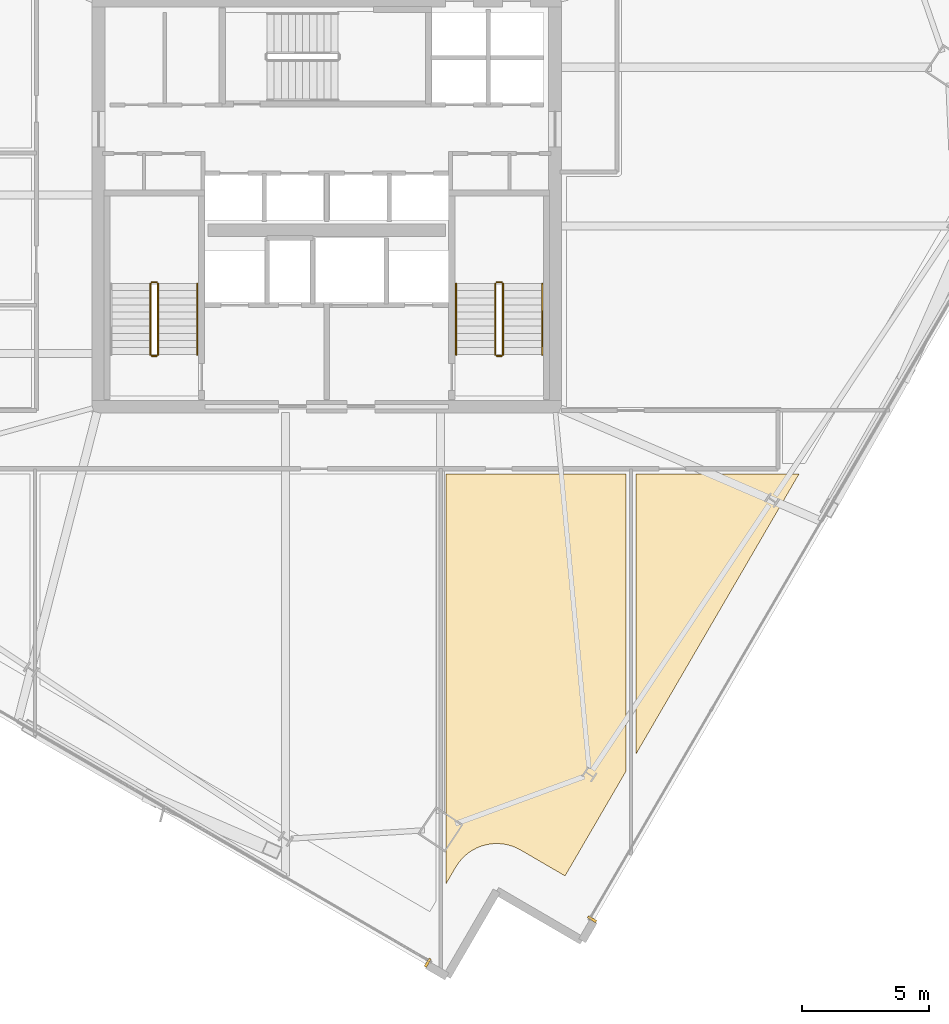
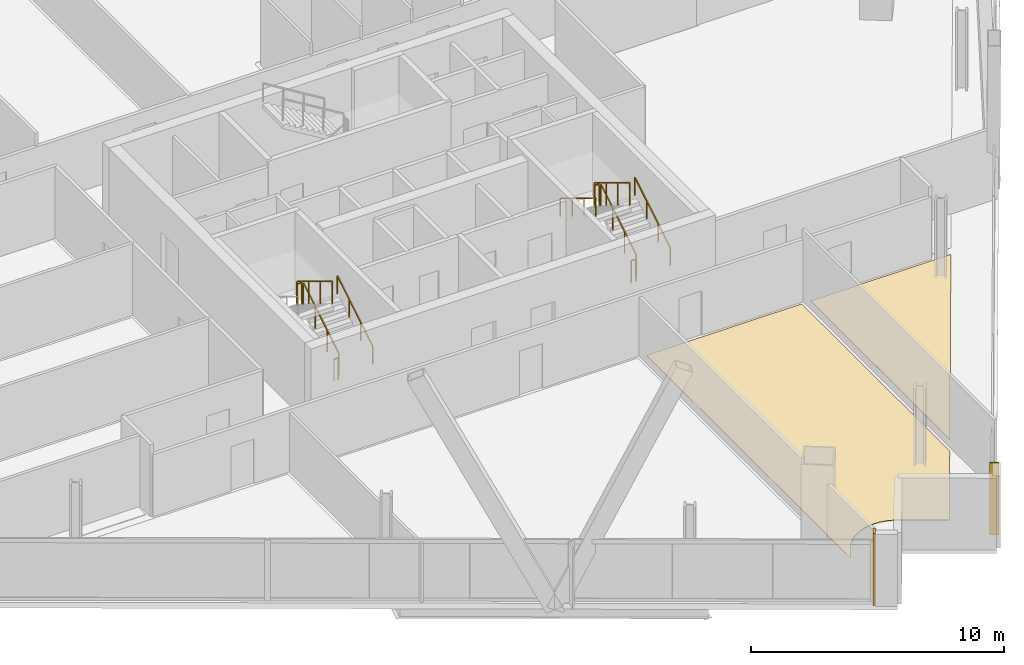
# One storey, part 26 of 29: 11 railings, 4 coverings.
"""IFC4 building model written with IfcOpenShell, lengths in metres."""

from ifc_helpers import new_model, si_unit, direction, frame, origin, origin_2d, place, context, subcontext, project, spatial, polyline, rectangle, outline, extrude, source, transform, mapped, material, layer, layer_set, type_object, element, save


model = new_model("IFC4")

# Units and contexts
model_context = context("Model", 3, precision=1e-05, world=origin(), true_north=direction((0.0, 1.0)))
body_context = subcontext(model_context, "Body", "Model", "MODEL_VIEW")
ifc_project = project(units=[si_unit("LENGTHUNIT", "METRE"), si_unit("AREAUNIT", "SQUARE_METRE"), si_unit("VOLUMEUNIT", "CUBIC_METRE"), si_unit("PLANEANGLEUNIT", "RADIAN"), si_unit("MASSUNIT", "GRAM", prefix="KILO")], contexts=[model_context])

# Site, building, storey
site_placement = place(None, origin())
site = spatial("IfcSite", under=ifc_project, at=site_placement, CompositionType="ELEMENT")
building_placement = place(site_placement, origin())
building = spatial("IfcBuilding", under=site, at=building_placement, Name="Haldenkirk Collegiate Tower", CompositionType="ELEMENT")
storey_placement = place(building_placement, frame((0.0, 0.0, 228.449951171875)))
storey = spatial("IfcBuildingStorey", under=building, at=storey_placement, Name="L57", CompositionType="ELEMENT", Elevation=228.449951171875)

# Coverings
ifc_material_1 = material(Name="Polished collegiate terrazzo", Category="concrete")
ifc_layer_1 = layer(ifc_material_1, 0.02490234375)
ifc_layer_set_1 = layer_set([ifc_layer_1], Name="Polished collegiate terrazzo")
covering_type_1 = type_object("IfcCoveringType", Name="COV-FLOOR-TERRAZZO", PredefinedType="FLOORING", material=ifc_layer_set_1)
covering_1_placement = place(storey_placement, origin())
element("IfcCovering", 1, at=covering_1_placement, inside=storey, type_object=covering_type_1, Name="L57 academic room finish 04", PredefinedType="FLOORING", context=body_context, shape_type="SweptSolid", body=[
    extrude(outline(polyline([(48.199951171875, 4.30908203125), (48.199951171875, 15.35009765625), (54.6259765625, 15.35009765625), (48.199951171875, 4.30908203125)])), origin(), (0.0, 0.0, 1.0), 0.025146484375),
])
ifc_material_2 = material(Name="Engineered collegiate oak acoustic flooring", Category="wood")
ifc_layer_2 = layer(ifc_material_2, 0.02197265625)
ifc_layer_set_2 = layer_set([ifc_layer_2], Name="Engineered collegiate oak acoustic flooring")
covering_type_2 = type_object("IfcCoveringType", Name="COV-FLOOR-TIMBER", PredefinedType="FLOORING", material=ifc_layer_set_2)
covering_2_placement = place(storey_placement, origin())
element("IfcCovering", 2, at=covering_2_placement, inside=storey, type_object=covering_type_2, Name="L57 academic room finish 03", PredefinedType="FLOORING", context=body_context, shape_type="SweptSolid", body=[
    extrude(outline(polyline([(42.95947265625, 0.752197265625), (42.94775390625, 0.75390625), (42.776611328125, 0.7685546875), (42.764892578125, 0.76904296875), (42.593017578125, 0.7666015625), (42.581298828125, 0.76611328125), (42.41064453125, 0.7470703125), (42.399169921875, 0.7451171875), (42.231201171875, 0.70947265625), (42.2197265625, 0.706298828125), (42.055908203125, 0.654541015625), (42.044921875, 0.650390625), (41.88720703125, 0.58251953125), (41.876708984375, 0.577392578125), (41.726318359375, 0.494384765625), (41.71630859375, 0.48828125), (41.57470703125, 0.39111328125), (41.565185546875, 0.3837890625), (41.433837890625, 0.273193359375), (41.42529296875, 0.265380859375), (41.305419921875, 0.142333984375), (41.297607421875, 0.133544921875), (41.190185546875, -0.000732421875), (41.18359375, -0.01025390625), (41.08984375, -0.154296875), (41.0869140625, -0.1591796875), (40.699951171875, -0.82373046875), (40.699951171875, 15.35009765625), (47.800048828125, 15.35009765625), (47.800048828125, 3.6220703125), (45.398193359375, -0.5048828125), (43.643798828125, 0.516357421875), (43.638427734375, 0.519287109375), (43.486083984375, 0.59814453125), (43.475341796875, 0.60302734375), (43.31591796875, 0.666748046875), (43.3046875, 0.670654296875), (43.1396484375, 0.71826171875), (43.128173828125, 0.720947265625), (42.95947265625, 0.752197265625)])), origin(), (0.0, 0.0, 1.0), 0.02197265625),
])

# Railings
ifc_material_3 = material(Name="Painted architectural tubular steel", Category="steel")
railing_type_1 = type_object("IfcRailingType", Name="RLG-STAIR-GUARD-1100", PredefinedType="BALUSTRADE", material=ifc_material_3)
railing_1_placement = place(storey_placement, frame((29.35009765625, 20.050048828125, 0.17041015625)))
element("IfcRailing", 3, at=railing_1_placement, inside=storey, type_object=railing_type_1, Name="L57 ST-1 stair guard 1", PredefinedType="BALUSTRADE", context=body_context, shape_type="SweptSolid", body=[
    extrude(rectangle(XDim=0.048095703125, YDim=0.048095703125, at=origin_2d()), frame((0.0, 0.0, 1.076171875), z_axis=(0.0, 0.854169791009, 0.51999420009), x_axis=(-1.0, 0.0, 0.0)), (0.0, 0.0, 1.0), 3.278076171875),
    extrude(rectangle(XDim=0.0419921875, YDim=0.0419921875, at=origin_2d()), origin(), (0.0, 0.0, 1.0), 1.052001953125),
    extrude(rectangle(XDim=0.0419921875, YDim=0.0419921875, at=origin_2d()), frame((0.0, 0.933349609375, 0.568115234375)), (0.0, 0.0, 1.0), 1.052001953125),
    extrude(rectangle(XDim=0.0419921875, YDim=0.0419921875, at=origin_2d()), frame((0.0, 1.86669921875, 1.136474609375)), (0.0, 0.0, 1.0), 1.052001953125),
    extrude(rectangle(XDim=0.0419921875, YDim=0.0419921875, at=origin_2d()), frame((0.0, 2.800048828125, 1.70458984375)), (0.0, 0.0, 1.0), 1.052001953125),
])
railing_2_placement = place(storey_placement, frame((29.300048828125, 22.89990234375, 1.875)))
element("IfcRailing", 4, at=railing_2_placement, inside=storey, type_object=railing_type_1, Name="L57 ST-1 stair guard 2", PredefinedType="BALUSTRADE", context=body_context, shape_type="SweptSolid", body=[
    extrude(rectangle(XDim=0.048095703125, YDim=0.048095703125, at=origin_2d()), frame((0.0, 0.0, 1.076171875), z_axis=(-1.0, 0.0, 0.0), x_axis=(0.0, -1.0, 0.0)), (0.0, 0.0, 1.0), 0.199951171875),
    extrude(rectangle(XDim=0.0419921875, YDim=0.0419921875, at=origin_2d()), origin(), (0.0, 0.0, 1.0), 1.052001953125),
    extrude(rectangle(XDim=0.0419921875, YDim=0.0419921875, at=origin_2d()), frame((-0.199951171875, 0.0, 0.0)), (0.0, 0.0, 1.0), 1.052001953125),
])
railing_3_placement = place(storey_placement, frame((29.050048828125, 22.85009765625, 2.04541015625)))
element("IfcRailing", 5, at=railing_3_placement, inside=storey, type_object=railing_type_1, Name="L57 ST-1 stair guard 3", PredefinedType="BALUSTRADE", context=body_context, shape_type="SweptSolid", body=[
    extrude(rectangle(XDim=0.048095703125, YDim=0.048095703125, at=origin_2d()), frame((0.0, 0.0, 1.076171875), z_axis=(0.0, -0.854169791009, 0.51999420009), x_axis=(1.0, 0.0, 0.0)), (0.0, 0.0, 1.0), 3.278076171875),
    extrude(rectangle(XDim=0.0419921875, YDim=0.0419921875, at=origin_2d()), origin(), (0.0, 0.0, 1.0), 1.052001953125),
    extrude(rectangle(XDim=0.0419921875, YDim=0.0419921875, at=origin_2d()), frame((0.0, -0.933349609375, 0.568115234375)), (0.0, 0.0, 1.0), 1.052001953125),
    extrude(rectangle(XDim=0.0419921875, YDim=0.0419921875, at=origin_2d()), frame((0.0, -1.86669921875, 1.136474609375)), (0.0, 0.0, 1.0), 1.052001953125),
    extrude(rectangle(XDim=0.0419921875, YDim=0.0419921875, at=origin_2d()), frame((0.0, -2.800048828125, 1.70458984375)), (0.0, 0.0, 1.0), 1.052001953125),
])
railing_4_placement = place(storey_placement, frame((29.300048828125, 20.0, 0.0)))
element("IfcRailing", 6, at=railing_4_placement, inside=storey, type_object=railing_type_1, Name="L57 ST-1 stair guard 4", PredefinedType="BALUSTRADE", context=body_context, shape_type="SweptSolid", body=[
    extrude(rectangle(XDim=0.048095703125, YDim=0.048095703125, at=origin_2d()), frame((0.0, 0.0, 1.076171875), z_axis=(-1.0, 0.0, 0.0), x_axis=(0.0, -1.0, 0.0)), (0.0, 0.0, 1.0), 0.199951171875),
    extrude(rectangle(XDim=0.0419921875, YDim=0.0419921875, at=origin_2d()), origin(), (0.0, 0.0, 1.0), 1.052001953125),
    extrude(rectangle(XDim=0.0419921875, YDim=0.0419921875, at=origin_2d()), frame((-0.199951171875, 0.0, 0.0)), (0.0, 0.0, 1.0), 1.052001953125),
])
railing_5_placement = place(storey_placement, frame((42.949951171875, 20.050048828125, 0.17041015625)))
element("IfcRailing", 7, at=railing_5_placement, inside=storey, type_object=railing_type_1, Name="L57 ST-2 stair guard 1", PredefinedType="BALUSTRADE", context=body_context, shape_type="SweptSolid", body=[
    extrude(rectangle(XDim=0.048095703125, YDim=0.048095703125, at=origin_2d()), frame((0.0, 0.0, 1.076171875), z_axis=(0.0, 0.854169791009, 0.51999420009), x_axis=(-1.0, 0.0, 0.0)), (0.0, 0.0, 1.0), 3.278076171875),
    extrude(rectangle(XDim=0.0419921875, YDim=0.0419921875, at=origin_2d()), origin(), (0.0, 0.0, 1.0), 1.052001953125),
    extrude(rectangle(XDim=0.0419921875, YDim=0.0419921875, at=origin_2d()), frame((0.0, 0.933349609375, 0.568115234375)), (0.0, 0.0, 1.0), 1.052001953125),
    extrude(rectangle(XDim=0.0419921875, YDim=0.0419921875, at=origin_2d()), frame((0.0, 1.86669921875, 1.136474609375)), (0.0, 0.0, 1.0), 1.052001953125),
    extrude(rectangle(XDim=0.0419921875, YDim=0.0419921875, at=origin_2d()), frame((0.0, 2.800048828125, 1.70458984375)), (0.0, 0.0, 1.0), 1.052001953125),
])
railing_6_placement = place(storey_placement, frame((42.89990234375, 22.89990234375, 1.875)))
element("IfcRailing", 8, at=railing_6_placement, inside=storey, type_object=railing_type_1, Name="L57 ST-2 stair guard 2", PredefinedType="BALUSTRADE", context=body_context, shape_type="SweptSolid", body=[
    extrude(rectangle(XDim=0.048095703125, YDim=0.048095703125, at=origin_2d()), frame((0.0, 0.0, 1.076171875), z_axis=(-1.0, 0.0, 0.0), x_axis=(0.0, -1.0, 0.0)), (0.0, 0.0, 1.0), 0.199951171875),
    extrude(rectangle(XDim=0.0419921875, YDim=0.0419921875, at=origin_2d()), origin(), (0.0, 0.0, 1.0), 1.052001953125),
    extrude(rectangle(XDim=0.0419921875, YDim=0.0419921875, at=origin_2d()), frame((-0.199951171875, 0.0, 0.0)), (0.0, 0.0, 1.0), 1.052001953125),
])
railing_7_placement = place(storey_placement, frame((42.64990234375, 22.85009765625, 2.04541015625)))
element("IfcRailing", 9, at=railing_7_placement, inside=storey, type_object=railing_type_1, Name="L57 ST-2 stair guard 3", PredefinedType="BALUSTRADE", context=body_context, shape_type="SweptSolid", body=[
    extrude(rectangle(XDim=0.048095703125, YDim=0.048095703125, at=origin_2d()), frame((0.0, 0.0, 1.076171875), z_axis=(0.0, -0.854169791009, 0.51999420009), x_axis=(1.0, 0.0, 0.0)), (0.0, 0.0, 1.0), 3.278076171875),
    extrude(rectangle(XDim=0.0419921875, YDim=0.0419921875, at=origin_2d()), origin(), (0.0, 0.0, 1.0), 1.052001953125),
    extrude(rectangle(XDim=0.0419921875, YDim=0.0419921875, at=origin_2d()), frame((0.0, -0.933349609375, 0.568115234375)), (0.0, 0.0, 1.0), 1.052001953125),
    extrude(rectangle(XDim=0.0419921875, YDim=0.0419921875, at=origin_2d()), frame((0.0, -1.86669921875, 1.136474609375)), (0.0, 0.0, 1.0), 1.052001953125),
    extrude(rectangle(XDim=0.0419921875, YDim=0.0419921875, at=origin_2d()), frame((0.0, -2.800048828125, 1.70458984375)), (0.0, 0.0, 1.0), 1.052001953125),
])
railing_8_placement = place(storey_placement, frame((42.89990234375, 20.0, 0.0)))
element("IfcRailing", 10, at=railing_8_placement, inside=storey, type_object=railing_type_1, Name="L57 ST-2 stair guard 4", PredefinedType="BALUSTRADE", context=body_context, shape_type="SweptSolid", body=[
    extrude(rectangle(XDim=0.048095703125, YDim=0.048095703125, at=origin_2d()), frame((0.0, 0.0, 1.076171875), z_axis=(-1.0, 0.0, 0.0), x_axis=(0.0, -1.0, 0.0)), (0.0, 0.0, 1.0), 0.199951171875),
    extrude(rectangle(XDim=0.0419921875, YDim=0.0419921875, at=origin_2d()), origin(), (0.0, 0.0, 1.0), 1.052001953125),
    extrude(rectangle(XDim=0.0419921875, YDim=0.0419921875, at=origin_2d()), frame((-0.199951171875, 0.0, 0.0)), (0.0, 0.0, 1.0), 1.052001953125),
])
railing_type_2 = type_object("IfcRailingType", Name="RLG-STAIR-HANDRAIL-900", PredefinedType="HANDRAIL", material=ifc_material_3)
for number, where, name in (
    (11, (30.89990234375, 20.050048828125, 0.17041015625), "L57 ST-1 stair handrail 1"),
    (12, (44.5, 20.050048828125, 0.17041015625), "L57 ST-2 stair handrail 1"),
):
    element("IfcRailing", number, at=place(storey_placement, frame(where)), inside=storey, type_object=railing_type_2, Name=name, PredefinedType="HANDRAIL", context=body_context, shape_type="SweptSolid", body=[
        extrude(rectangle(XDim=0.048095703125, YDim=0.048095703125, at=origin_2d()), frame((0.0, 0.0, 0.8759765625), z_axis=(0.0, 0.854169791009, 0.51999420009), x_axis=(-1.0, 0.0, 0.0)), (0.0, 0.0, 1.0), 3.278076171875),
        extrude(rectangle(XDim=0.0419921875, YDim=0.0419921875, at=origin_2d()), origin(), (0.0, 0.0, 1.0), 0.851806640625),
        extrude(rectangle(XDim=0.0419921875, YDim=0.0419921875, at=origin_2d()), frame((0.0, 0.933349609375, 0.568115234375)), (0.0, 0.0, 1.0), 0.851806640625),
        extrude(rectangle(XDim=0.0419921875, YDim=0.0419921875, at=origin_2d()), frame((0.0, 1.86669921875, 1.136474609375)), (0.0, 0.0, 1.0), 0.851806640625),
        extrude(rectangle(XDim=0.0419921875, YDim=0.0419921875, at=origin_2d()), frame((0.0, 2.800048828125, 1.70458984375)), (0.0, 0.0, 1.0), 0.851806640625),
    ])
railing_9_placement = place(storey_placement, frame((41.10009765625, 22.85009765625, 2.04541015625)))
element("IfcRailing", 13, at=railing_9_placement, inside=storey, type_object=railing_type_2, Name="L57 ST-2 stair handrail 2", PredefinedType="HANDRAIL", context=body_context, shape_type="SweptSolid", body=[
    extrude(rectangle(XDim=0.048095703125, YDim=0.048095703125, at=origin_2d()), frame((0.0, 0.0, 0.8759765625), z_axis=(0.0, -0.854169791009, 0.51999420009), x_axis=(1.0, 0.0, 0.0)), (0.0, 0.0, 1.0), 3.278076171875),
    extrude(rectangle(XDim=0.0419921875, YDim=0.0419921875, at=origin_2d()), origin(), (0.0, 0.0, 1.0), 0.851806640625),
    extrude(rectangle(XDim=0.0419921875, YDim=0.0419921875, at=origin_2d()), frame((0.0, -0.933349609375, 0.568115234375)), (0.0, 0.0, 1.0), 0.851806640625),
    extrude(rectangle(XDim=0.0419921875, YDim=0.0419921875, at=origin_2d()), frame((0.0, -1.86669921875, 1.136474609375)), (0.0, 0.0, 1.0), 0.851806640625),
    extrude(rectangle(XDim=0.0419921875, YDim=0.0419921875, at=origin_2d()), frame((0.0, -2.800048828125, 1.70458984375)), (0.0, 0.0, 1.0), 0.851806640625),
])

# Coverings
ifc_material_4 = material(Name="Anodised architectural bronze aluminium", Category="aluminium")
ifc_layer_3 = layer(ifc_material_4, 0.06005859375)
ifc_layer_set_3 = layer_set([ifc_layer_3], Name="Anodised architectural bronze aluminium")
covering_type_3 = type_object("IfcCoveringType", Name="COV-CLAD-BRONZE-60", PredefinedType="CLADDING", material=ifc_layer_set_3)
shared_shape = source(origin(), body_context, "Body", "SweptSolid", [
    extrude(rectangle(XDim=0.10009765625, YDim=0.3798828125, at=origin_2d()), origin(), (0.0, 0.0, 1.0), 3.469970703125),
])
for number, where, z_axis, x_axis, name in (
    (14, (46.463623046875, -2.212646484375, 0.0), (0.0, 0.0, 1.0), (-0.50301994663, -0.864274801954, 0.0), "L57 recessed curtain-wall bronze jamb closure SJR"),
    (15, (39.982666015625, -3.9248046875, 0.0), (0.0, 0.0, 1.0), (-0.864274801954, 0.50301994663, 0.0), "L57 recessed curtain-wall bronze jamb closure WJL"),
):
    element("IfcCovering", number, at=place(storey_placement, frame(where, z_axis=z_axis, x_axis=x_axis)), inside=storey, type_object=covering_type_3, Name=name, PredefinedType="CLADDING", context=body_context, shape_type="MappedRepresentation", body=[
        mapped(shared_shape, transform((0.0, 0.0, 0.0), x_axis=(1.0, 0.0, 0.0), y_axis=(0.0, 1.0, 0.0), z_axis=(0.0, 0.0, 1.0), scale=1.0)),
    ])

save(model, "model.ifc")
